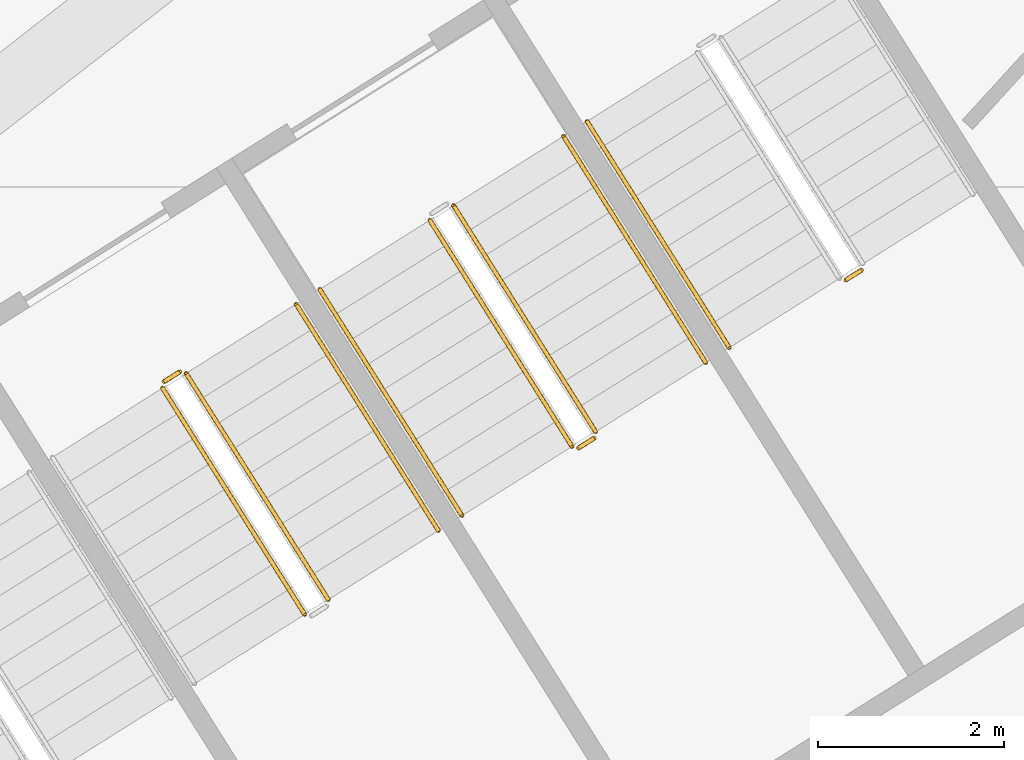
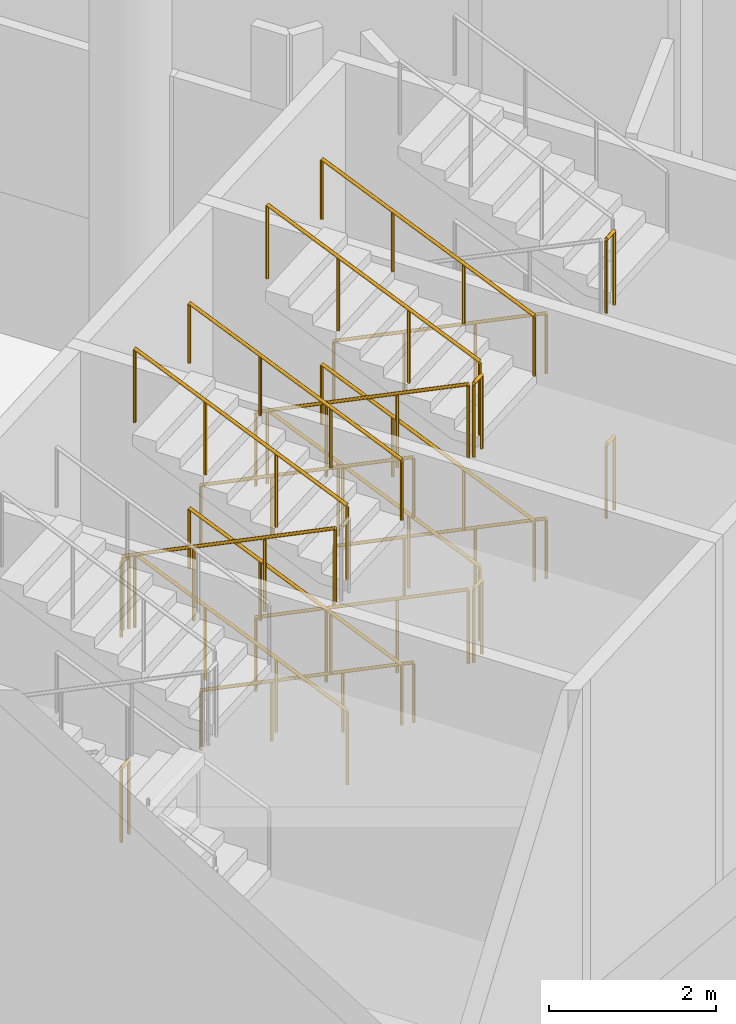
# One storey, part 218 of 249: 21 railings.
"""IFC4 building model written with IfcOpenShell, lengths in metres."""

import ifcopenshell
import ifcopenshell.guid

model = None  # the IFC model being written
_history = None  # IfcOwnerHistory: only IFC2X3 demands one
_inside = {}  # id of a spatial element -> (the spatial element, [elements in it])
_under = {}  # id of a project, library or spatial element -> (it, [spatial elements below it])
_declared = {}  # id of a project -> (the project, [libraries it declares])
_typed = {}  # id of a type object -> (the type object, [elements of that type])
_made_of = {}  # id of a material, layer set ... -> (it, [elements and type objects made of it])


def new_model(schema):
    """Start an empty IFC model of exactly this schema.

    Asked for "IFC4X3", IfcOpenShell would pick the latest addendum, in which some entities
    have other attributes; the version numbers below select the first issue.
    IFC2X3 requires an IfcOwnerHistory on every rooted entity: one is made here for all.
    """
    global model, _history
    if schema == "IFC4X3":
        model = ifcopenshell.file(schema_version=(4, 3, 0, 0))
    else:
        model = ifcopenshell.file(schema=schema)
    _inside.clear()
    _under.clear()
    _declared.clear()
    _typed.clear()
    _made_of.clear()
    _history = None
    if model.schema == "IFC2X3":
        org = make("IfcOrganization", Name="unknown")
        user = make(
            "IfcPersonAndOrganization",
            ThePerson=make("IfcPerson", FamilyName="unknown"),
            TheOrganization=org,
        )
        app = make(
            "IfcApplication",
            ApplicationDeveloper=org,
            Version="unknown",
            ApplicationFullName="unknown",
            ApplicationIdentifier="unknown",
        )
        _history = make(
            "IfcOwnerHistory",
            OwningUser=user,
            OwningApplication=app,
            ChangeAction="ADDED",
            CreationDate=0,
        )
    return model


def make(cls, **values):
    """One entity of the class cls with the attributes given. An attribute that is None is left unset."""
    return model.create_entity(
        cls, **{name: value for name, value in values.items() if value is not None}
    )


def rooted(cls, **values):
    """An entity with a GlobalId (a new one), such as an element, a storey or a relation."""
    return make(cls, GlobalId=ifcopenshell.guid.new(), OwnerHistory=_history, **values)


def si_unit(unit_type, name, prefix=None):
    """IfcSIUnit, for example si_unit("LENGTHUNIT", "METRE", prefix="MILLI")."""
    return make("IfcSIUnit", UnitType=unit_type, Prefix=prefix, Name=name)


def assignment(units):
    """IfcUnitAssignment: the units of a project."""
    return None if units is None else make("IfcUnitAssignment", Units=units)


def point(xyz):
    """IfcCartesianPoint."""
    return None if xyz is None else make("IfcCartesianPoint", Coordinates=xyz)


def direction(xyz):
    """IfcDirection."""
    return None if xyz is None else make("IfcDirection", DirectionRatios=xyz)


def frame(location, z_axis=None, x_axis=None):
    """IfcAxis2Placement3D, a coordinate frame: its origin and axes. An axis left out is left unset."""
    return make(
        "IfcAxis2Placement3D",
        Location=point(location),
        Axis=direction(z_axis),
        RefDirection=direction(x_axis),
    )


def frame_2d(location, x_axis=None):
    """IfcAxis2Placement2D, a coordinate frame in the plane: its origin and x axis."""
    return make(
        "IfcAxis2Placement2D", Location=point(location), RefDirection=direction(x_axis)
    )


def origin():
    """The frame at (0, 0, 0) with its axes left unset."""
    return frame((0.0, 0.0, 0.0))


def origin_2d():
    """The frame at (0, 0) in the plane with its x axis left unset."""
    return frame_2d((0.0, 0.0))


def place(relative_to, where):
    """IfcLocalPlacement: puts the frame where relative to a parent placement (None: the world)."""
    return make(
        "IfcLocalPlacement", PlacementRelTo=relative_to, RelativePlacement=where
    )


def context(
    kind, dimensions, precision=None, world=None, true_north=None, identifier=None
):
    """IfcGeometricRepresentationContext, for example the 3D "Model" context."""
    return make(
        "IfcGeometricRepresentationContext",
        ContextIdentifier=identifier,
        ContextType=kind,
        CoordinateSpaceDimension=dimensions,
        Precision=precision,
        WorldCoordinateSystem=world,
        TrueNorth=true_north,
    )


def subcontext(parent, identifier, kind, view, scale=None):
    """IfcGeometricRepresentationSubContext, for example "Body" below "Model"."""
    return make(
        "IfcGeometricRepresentationSubContext",
        ContextIdentifier=identifier,
        ContextType=kind,
        ParentContext=parent,
        TargetScale=scale,
        TargetView=view,
    )


def project(units=None, contexts=None):
    """IfcProject with its units and contexts."""
    return rooted(
        "IfcProject",
        Name="project",
        RepresentationContexts=contexts,
        UnitsInContext=assignment(units),
    )


def spatial(cls, under=None, at=None, **own):
    """A site, building, storey or space (cls), placed at a placement, below another one or the project."""
    s = rooted(cls, ObjectPlacement=at, **own)
    if under is not None:
        _under.setdefault(under.id(), (under, []))[1].append(s)
    return s


def profile(cls, at=None, kind="AREA", **sizes):
    """A parametric profile (cls). Its sizes go by their IFC names, for example OverallWidth=200.0."""
    return make(cls, ProfileType=kind, Position=at, **sizes)


def circle(**sizes):
    """IfcCircleProfileDef."""
    return profile("IfcCircleProfileDef", **sizes)


def extrude(swept, where, along, depth):
    """IfcExtrudedAreaSolid: the profile swept, set in the frame where, extruded along a direction by depth."""
    return make(
        "IfcExtrudedAreaSolid",
        SweptArea=swept,
        Position=where,
        ExtrudedDirection=direction(along),
        Depth=depth,
    )


def shape(context_of_items, identifier, shape_type, items):
    """IfcShapeRepresentation: the items that make up one representation, for example the "Body"."""
    return make(
        "IfcShapeRepresentation",
        ContextOfItems=context_of_items,
        RepresentationIdentifier=identifier,
        RepresentationType=shape_type,
        Items=items,
    )


def material(Name=None, Category=None):
    """IfcMaterial."""
    return make("IfcMaterial", Name=Name, Category=Category)


def made_of(thing, what):
    """Note that an element or type object is made of a material, layer set ...; save() writes the relation."""
    if what is not None:
        _made_of.setdefault(what.id(), (what, []))[1].append(thing)
    return thing


def type_object(cls, material=None, **own):
    """A type object (cls), such as IfcWallType, which elements share."""
    return made_of(rooted(cls, **own), material)


def element(
    cls,
    number,
    at=None,
    inside=None,
    cuts=None,
    type_object=None,
    material=None,
    context=None,
    identifier="Body",
    shape_type=None,
    held_by="IfcProductDefinitionShape",
    body=None,
    shapes=None,
    **own,
):
    """One element of the class cls, such as IfcWall. Its Tag is "e" and its number.

    at: its placement. inside: the storey or other place that contains it. cuts: it is an
    opening in that element (IfcRelVoidsElement). A single representation is given by context,
    identifier, shape_type and body (its items); several are given by shapes. held_by: the class
    of the entity that holds the representations. save() writes the other relations.
    """
    e = rooted(cls, Tag="e%d" % number, ObjectPlacement=at, **own)
    if body is not None:
        shapes = [shape(context, identifier, shape_type, body)]
    if shapes is not None:
        e.Representation = make(held_by, Representations=shapes)
    if inside is not None:
        _inside.setdefault(inside.id(), (inside, []))[1].append(e)
    if cuts is not None:
        rooted(
            "IfcRelVoidsElement", RelatingBuildingElement=cuts, RelatedOpeningElement=e
        )
    if type_object is not None:
        _typed.setdefault(type_object.id(), (type_object, []))[1].append(e)
    return made_of(e, material)


def aggregate(whole, parts):
    """IfcRelAggregates: a whole, such as a stair, and the parts it consists of."""
    return rooted("IfcRelAggregates", RelatingObject=whole, RelatedObjects=parts)


def save(model, path):
    """Write the relations noted so far, then the file.

    IfcRelAggregates (storeys below a building ...), IfcRelContainedInSpatialStructure (elements
    in a storey), IfcRelDefinesByType, IfcRelAssociatesMaterial and IfcRelDeclares: one each for
    every whole, place, type object, material and project.
    """
    for whole, parts in _under.values():
        aggregate(whole, parts)
    for where, things in _inside.values():
        rooted(
            "IfcRelContainedInSpatialStructure",
            RelatedElements=things,
            RelatingStructure=where,
        )
    for kind, things in _typed.values():
        rooted("IfcRelDefinesByType", RelatedObjects=things, RelatingType=kind)
    for what, things in _made_of.values():
        rooted("IfcRelAssociatesMaterial", RelatedObjects=things, RelatingMaterial=what)
    for by, libraries in _declared.values():
        rooted("IfcRelDeclares", RelatingContext=by, RelatedDefinitions=libraries)
    model.write(path)


model = new_model("IFC4")

# Units and contexts
model_context = context("Model", 3, precision=1e-05, world=origin(), true_north=direction((0.0, 1.0)))
body_context = subcontext(model_context, "Body", "Model", "MODEL_VIEW")
ifc_project = project(units=[si_unit("LENGTHUNIT", "METRE"), si_unit("AREAUNIT", "SQUARE_METRE"), si_unit("VOLUMEUNIT", "CUBIC_METRE"), si_unit("PLANEANGLEUNIT", "RADIAN"), si_unit("MASSUNIT", "GRAM", prefix="KILO")], contexts=[model_context])

# Site, building, storey
site_placement = place(None, origin())
site = spatial("IfcSite", under=ifc_project, at=site_placement, CompositionType="ELEMENT")
building_placement = place(site_placement, origin())
building = spatial("IfcBuilding", under=site, at=building_placement, Name="Meseta Stadium", CompositionType="ELEMENT")
storey_placement = place(building_placement, frame((0.0, 0.0, 12.0)))
storey = spatial("IfcBuildingStorey", under=building, at=storey_placement, Name="L02", CompositionType="ELEMENT", Elevation=12.0)

# Railings
ifc_material_1 = material(Name="Steel S355", Category="steel")
railing_type_1 = type_object("IfcRailingType", Name="Stair guard 1100", PredefinedType="GUARDRAIL", material=ifc_material_1)
railing_1_placement = place(storey_placement, frame((69.150390625, -89.757080078125, 1.64990234375)))
element("IfcRailing", 1, at=railing_1_placement, inside=storey, type_object=railing_type_1, Name="ST106 L02 guard 3", PredefinedType="GUARDRAIL", context=body_context, shape_type="SweptSolid", body=[
    extrude(circle(Radius=0.02392578125, at=origin_2d()), frame((0.0, 0.0, 1.076171875), z_axis=(-0.481702688975, 0.766687087345, 0.424444848635), x_axis=(-0.84674347122, -0.532001404082, 0.0)), (0.0, 0.0, 1.0), 3.180908203125),
    extrude(circle(Radius=0.02099609375, at=origin_2d()), origin(), (0.0, 0.0, 1.0), 1.052001953125),
    extrude(circle(Radius=0.02099609375, at=origin_2d()), frame((-0.5107421875, 0.81298828125, 0.449951171875)), (0.0, 0.0, 1.0), 1.052001953125),
    extrude(circle(Radius=0.02099609375, at=origin_2d()), frame((-1.021484375, 1.625732421875, 0.900146484375)), (0.0, 0.0, 1.0), 1.052001953125),
    extrude(circle(Radius=0.02099609375, at=origin_2d()), frame((-1.5322265625, 2.438720703125, 1.35009765625)), (0.0, 0.0, 1.0), 1.052001953125),
])
railing_2_placement = place(storey_placement, frame((67.3798828125, -87.4091796875, 3.0)))
element("IfcRailing", 2, at=railing_2_placement, inside=storey, type_object=railing_type_1, Name="ST106 L02 guard 4", PredefinedType="GUARDRAIL", context=body_context, shape_type="SweptSolid", body=[
    extrude(circle(Radius=0.02392578125, at=origin_2d()), frame((0.0, 0.0, 1.076171875), z_axis=(0.846762178531, 0.531971628011, 0.0), x_axis=(-0.531971628011, 0.846762178531, 0.0)), (0.0, 0.0, 1.0), 0.2001953125),
    extrude(circle(Radius=0.02099609375, at=origin_2d()), origin(), (0.0, 0.0, 1.0), 1.052001953125),
    extrude(circle(Radius=0.02099609375, at=origin_2d()), frame((0.16943359375, 0.1064453125, 0.0)), (0.0, 0.0, 1.0), 1.052001953125),
])
railing_3_placement = place(storey_placement, frame((67.3642578125, -87.47802734375, 3.14990234375)))
element("IfcRailing", 3, at=railing_3_placement, inside=storey, type_object=railing_type_1, Name="ST106 L02 guard 5", PredefinedType="GUARDRAIL", context=body_context, shape_type="SweptSolid", body=[
    extrude(circle(Radius=0.02392578125, at=origin_2d()), frame((0.0, 0.0, 1.076171875), z_axis=(0.481702688975, -0.766687087345, 0.424444848635), x_axis=(0.84674347122, 0.532001404082, 0.0)), (0.0, 0.0, 1.0), 3.180908203125),
    extrude(circle(Radius=0.02099609375, at=origin_2d()), origin(), (0.0, 0.0, 1.0), 1.052001953125),
    extrude(circle(Radius=0.02099609375, at=origin_2d()), frame((0.5107421875, -0.81298828125, 0.449951171875)), (0.0, 0.0, 1.0), 1.052001953125),
    extrude(circle(Radius=0.02099609375, at=origin_2d()), frame((1.021484375, -1.625732421875, 0.900146484375)), (0.0, 0.0, 1.0), 1.052001953125),
    extrude(circle(Radius=0.02099609375, at=origin_2d()), frame((1.5322265625, -2.438720703125, 1.35009765625)), (0.0, 0.0, 1.0), 1.052001953125),
])
railing_4_placement = place(storey_placement, frame((69.150390625, -89.757080078125, 4.64990234375)))
element("IfcRailing", 4, at=railing_4_placement, inside=storey, type_object=railing_type_1, Name="ST106 L02 guard 7", PredefinedType="GUARDRAIL", context=body_context, shape_type="SweptSolid", body=[
    extrude(circle(Radius=0.02392578125, at=origin_2d()), frame((0.0, 0.0, 1.076171875), z_axis=(-0.481702688975, 0.766687087345, 0.424444848635), x_axis=(-0.84674347122, -0.532001404082, 0.0)), (0.0, 0.0, 1.0), 3.180908203125),
    extrude(circle(Radius=0.02099609375, at=origin_2d()), origin(), (0.0, 0.0, 1.0), 1.052001953125),
    extrude(circle(Radius=0.02099609375, at=origin_2d()), frame((-0.5107421875, 0.81298828125, 0.449951171875)), (0.0, 0.0, 1.0), 1.052001953125),
    extrude(circle(Radius=0.02099609375, at=origin_2d()), frame((-1.021484375, 1.625732421875, 0.900146484375)), (0.0, 0.0, 1.0), 1.052001953125),
    extrude(circle(Radius=0.02099609375, at=origin_2d()), frame((-1.5322265625, 2.438720703125, 1.35009765625)), (0.0, 0.0, 1.0), 1.052001953125),
])
railing_5_placement = place(storey_placement, frame((67.3798828125, -87.4091796875, 0.0)))
element("IfcRailing", 5, at=railing_5_placement, inside=storey, type_object=railing_type_1, Name="ST106 L02 guard 8", PredefinedType="GUARDRAIL", context=body_context, shape_type="SweptSolid", body=[
    extrude(circle(Radius=0.02392578125, at=origin_2d()), frame((0.0, 0.0, 1.076171875), z_axis=(0.846762178531, 0.531971628011, 0.0), x_axis=(-0.531971628011, 0.846762178531, 0.0)), (0.0, 0.0, 1.0), 0.2001953125),
    extrude(circle(Radius=0.02099609375, at=origin_2d()), origin(), (0.0, 0.0, 1.0), 1.052001953125),
    extrude(circle(Radius=0.02099609375, at=origin_2d()), frame((0.16943359375, 0.1064453125, 0.0)), (0.0, 0.0, 1.0), 1.052001953125),
])
railing_6_placement = place(storey_placement, frame((70.242919921875, -85.669189453125, 0.14990234375)))
element("IfcRailing", 6, at=railing_6_placement, inside=storey, type_object=railing_type_1, Name="ST107 L02 guard 1", PredefinedType="GUARDRAIL", context=body_context, shape_type="SweptSolid", body=[
    extrude(circle(Radius=0.02392578125, at=origin_2d()), frame((0.0, 0.0, 1.076171875), z_axis=(0.481731036161, -0.766655447606, 0.424469826318), x_axis=(0.846719477248, 0.53203959143, 0.0)), (0.0, 0.0, 1.0), 3.1806640625),
    extrude(circle(Radius=0.02099609375, at=origin_2d()), origin(), (0.0, 0.0, 1.0), 1.052001953125),
    extrude(circle(Radius=0.02099609375, at=origin_2d()), frame((0.5107421875, -0.812744140625, 0.449951171875)), (0.0, 0.0, 1.0), 1.052001953125),
    extrude(circle(Radius=0.02099609375, at=origin_2d()), frame((1.021484375, -1.625732421875, 0.900146484375)), (0.0, 0.0, 1.0), 1.052001953125),
    extrude(circle(Radius=0.02099609375, at=origin_2d()), frame((1.5322265625, -2.4384765625, 1.35009765625)), (0.0, 0.0, 1.0), 1.052001953125),
])
railing_7_placement = place(storey_placement, frame((71.84423828125, -88.12353515625, 1.5)))
element("IfcRailing", 7, at=railing_7_placement, inside=storey, type_object=railing_type_1, Name="ST107 L02 guard 2", PredefinedType="GUARDRAIL", context=body_context, shape_type="SweptSolid", body=[
    extrude(circle(Radius=0.02392578125, at=origin_2d()), frame((0.0, 0.0, 1.076171875), z_axis=(0.846416356806, 0.532521690573, 0.0), x_axis=(-0.532521690573, 0.846416356806, 0.0)), (0.0, 0.0, 1.0), 0.199951171875),
    extrude(circle(Radius=0.02099609375, at=origin_2d()), origin(), (0.0, 0.0, 1.0), 1.052001953125),
    extrude(circle(Radius=0.02099609375, at=origin_2d()), frame((0.169189453125, 0.1064453125, 0.0)), (0.0, 0.0, 1.0), 1.052001953125),
])
railing_8_placement = place(storey_placement, frame((72.029296875, -87.947998046875, 1.64990234375)))
element("IfcRailing", 8, at=railing_8_placement, inside=storey, type_object=railing_type_1, Name="ST107 L02 guard 3", PredefinedType="GUARDRAIL", context=body_context, shape_type="SweptSolid", body=[
    extrude(circle(Radius=0.02392578125, at=origin_2d()), frame((0.0, 0.0, 1.076171875), z_axis=(-0.481731036161, 0.766655447606, 0.424469826318), x_axis=(-0.846719477248, -0.53203959143, 0.0)), (0.0, 0.0, 1.0), 3.1806640625),
    extrude(circle(Radius=0.02099609375, at=origin_2d()), origin(), (0.0, 0.0, 1.0), 1.052001953125),
    extrude(circle(Radius=0.02099609375, at=origin_2d()), frame((-0.5107421875, 0.812744140625, 0.449951171875)), (0.0, 0.0, 1.0), 1.052001953125),
    extrude(circle(Radius=0.02099609375, at=origin_2d()), frame((-1.021484375, 1.625732421875, 0.900146484375)), (0.0, 0.0, 1.0), 1.052001953125),
    extrude(circle(Radius=0.02099609375, at=origin_2d()), frame((-1.5322265625, 2.4384765625, 1.35009765625)), (0.0, 0.0, 1.0), 1.052001953125),
])
railing_9_placement = place(storey_placement, frame((70.242919921875, -85.669189453125, 3.14990234375)))
element("IfcRailing", 9, at=railing_9_placement, inside=storey, type_object=railing_type_1, Name="ST107 L02 guard 5", PredefinedType="GUARDRAIL", context=body_context, shape_type="SweptSolid", body=[
    extrude(circle(Radius=0.02392578125, at=origin_2d()), frame((0.0, 0.0, 1.076171875), z_axis=(0.481731036161, -0.766655447606, 0.424469826318), x_axis=(0.846719477248, 0.53203959143, 0.0)), (0.0, 0.0, 1.0), 3.1806640625),
    extrude(circle(Radius=0.02099609375, at=origin_2d()), origin(), (0.0, 0.0, 1.0), 1.052001953125),
    extrude(circle(Radius=0.02099609375, at=origin_2d()), frame((0.5107421875, -0.812744140625, 0.449951171875)), (0.0, 0.0, 1.0), 1.052001953125),
    extrude(circle(Radius=0.02099609375, at=origin_2d()), frame((1.021484375, -1.625732421875, 0.900146484375)), (0.0, 0.0, 1.0), 1.052001953125),
    extrude(circle(Radius=0.02099609375, at=origin_2d()), frame((1.5322265625, -2.4384765625, 1.35009765625)), (0.0, 0.0, 1.0), 1.052001953125),
])
railing_10_placement = place(storey_placement, frame((71.84423828125, -88.12353515625, 4.5)))
element("IfcRailing", 10, at=railing_10_placement, inside=storey, type_object=railing_type_1, Name="ST107 L02 guard 6", PredefinedType="GUARDRAIL", context=body_context, shape_type="SweptSolid", body=[
    extrude(circle(Radius=0.02392578125, at=origin_2d()), frame((0.0, 0.0, 1.076171875), z_axis=(0.846416356806, 0.532521690573, 0.0), x_axis=(-0.532521690573, 0.846416356806, 0.0)), (0.0, 0.0, 1.0), 0.199951171875),
    extrude(circle(Radius=0.02099609375, at=origin_2d()), origin(), (0.0, 0.0, 1.0), 1.052001953125),
    extrude(circle(Radius=0.02099609375, at=origin_2d()), frame((0.169189453125, 0.1064453125, 0.0)), (0.0, 0.0, 1.0), 1.052001953125),
])
railing_11_placement = place(storey_placement, frame((72.029296875, -87.947998046875, 4.64990234375)))
element("IfcRailing", 11, at=railing_11_placement, inside=storey, type_object=railing_type_1, Name="ST107 L02 guard 7", PredefinedType="GUARDRAIL", context=body_context, shape_type="SweptSolid", body=[
    extrude(circle(Radius=0.02392578125, at=origin_2d()), frame((0.0, 0.0, 1.076171875), z_axis=(-0.481731036161, 0.766655447606, 0.424469826318), x_axis=(-0.846719477248, -0.53203959143, 0.0)), (0.0, 0.0, 1.0), 3.1806640625),
    extrude(circle(Radius=0.02099609375, at=origin_2d()), origin(), (0.0, 0.0, 1.0), 1.052001953125),
    extrude(circle(Radius=0.02099609375, at=origin_2d()), frame((-0.5107421875, 0.812744140625, 0.449951171875)), (0.0, 0.0, 1.0), 1.052001953125),
    extrude(circle(Radius=0.02099609375, at=origin_2d()), frame((-1.021484375, 1.625732421875, 0.900146484375)), (0.0, 0.0, 1.0), 1.052001953125),
    extrude(circle(Radius=0.02099609375, at=origin_2d()), frame((-1.5322265625, 2.4384765625, 1.35009765625)), (0.0, 0.0, 1.0), 1.052001953125),
])
for number, where, name in (
    (12, (74.72314453125, -86.314453125, 1.5), "ST108 L02 guard 2"),
    (13, (74.72314453125, -86.314453125, 4.5), "ST108 L02 guard 6"),
):
    element("IfcRailing", number, at=place(storey_placement, frame(where)), inside=storey, type_object=railing_type_1, Name=name, PredefinedType="GUARDRAIL", context=body_context, shape_type="SweptSolid", body=[
        extrude(circle(Radius=0.02392578125, at=origin_2d()), frame((0.0, 0.0, 1.076171875), z_axis=(0.846966780732, 0.531645814745, 0.0), x_axis=(-0.531645814745, 0.846966780732, 0.0)), (0.0, 0.0, 1.0), 0.19970703125),
        extrude(circle(Radius=0.02099609375, at=origin_2d()), origin(), (0.0, 0.0, 1.0), 1.052001953125),
        extrude(circle(Radius=0.02099609375, at=origin_2d()), frame((0.169189453125, 0.106201171875, 0.0)), (0.0, 0.0, 1.0), 1.052001953125),
    ])
ifc_material_2 = material(Name="Steel S355", Category="steel")
railing_type_2 = type_object("IfcRailingType", Name="Stair handrail 900", PredefinedType="HANDRAIL", material=ifc_material_2)
for number, where, name in (
    (14, (70.3359375, -89.01220703125, 1.64990234375), "ST106 L02 handrail 2"),
    (15, (70.3359375, -89.01220703125, 4.64990234375), "ST106 L02 handrail 4"),
):
    element("IfcRailing", number, at=place(storey_placement, frame(where)), inside=storey, type_object=railing_type_2, Name=name, PredefinedType="HANDRAIL", context=body_context, shape_type="SweptSolid", body=[
        extrude(circle(Radius=0.02392578125, at=origin_2d()), frame((0.0, 0.0, 0.8759765625), z_axis=(-0.481789977797, 0.766627098651, 0.424454130511), x_axis=(-0.846681287241, -0.532100364439, 0.0)), (0.0, 0.0, 1.0), 3.1806640625),
        extrude(circle(Radius=0.02099609375, at=origin_2d()), origin(), (0.0, 0.0, 1.0), 0.851806640625),
        extrude(circle(Radius=0.02099609375, at=origin_2d()), frame((-0.5107421875, 0.812744140625, 0.449951171875)), (0.0, 0.0, 1.0), 0.851806640625),
        extrude(circle(Radius=0.02099609375, at=origin_2d()), frame((-1.021728515625, 1.625732421875, 0.900146484375)), (0.0, 0.0, 1.0), 0.851806640625),
        extrude(circle(Radius=0.02099609375, at=origin_2d()), frame((-1.532470703125, 2.4384765625, 1.35009765625)), (0.0, 0.0, 1.0), 0.851806640625),
    ])
railing_12_placement = place(storey_placement, frame((69.0576171875, -86.4140625, 0.14990234375)))
element("IfcRailing", 16, at=railing_12_placement, inside=storey, type_object=railing_type_2, Name="ST107 L02 handrail 1", PredefinedType="HANDRAIL", context=body_context, shape_type="SweptSolid", body=[
    extrude(circle(Radius=0.02392578125, at=origin_2d()), frame((0.0, 0.0, 0.8759765625), z_axis=(0.481731036161, -0.766655447606, 0.424469826318), x_axis=(0.846719477248, 0.53203959143, 0.0)), (0.0, 0.0, 1.0), 3.1806640625),
    extrude(circle(Radius=0.02099609375, at=origin_2d()), origin(), (0.0, 0.0, 1.0), 0.851806640625),
    extrude(circle(Radius=0.02099609375, at=origin_2d()), frame((0.5107421875, -0.812744140625, 0.449951171875)), (0.0, 0.0, 1.0), 0.851806640625),
    extrude(circle(Radius=0.02099609375, at=origin_2d()), frame((1.021484375, -1.625732421875, 0.900146484375)), (0.0, 0.0, 1.0), 0.851806640625),
    extrude(circle(Radius=0.02099609375, at=origin_2d()), frame((1.5322265625, -2.4384765625, 1.35009765625)), (0.0, 0.0, 1.0), 0.851806640625),
])
railing_13_placement = place(storey_placement, frame((73.214599609375, -87.203369140625, 1.64990234375)))
element("IfcRailing", 17, at=railing_13_placement, inside=storey, type_object=railing_type_2, Name="ST107 L02 handrail 2", PredefinedType="HANDRAIL", context=body_context, shape_type="SweptSolid", body=[
    extrude(circle(Radius=0.02392578125, at=origin_2d()), frame((0.0, 0.0, 0.8759765625), z_axis=(-0.481702688975, 0.766687087345, 0.424444848635), x_axis=(-0.84674347122, -0.532001404082, 0.0)), (0.0, 0.0, 1.0), 3.180908203125),
    extrude(circle(Radius=0.02099609375, at=origin_2d()), origin(), (0.0, 0.0, 1.0), 0.851806640625),
    extrude(circle(Radius=0.02099609375, at=origin_2d()), frame((-0.5107421875, 0.81298828125, 0.449951171875)), (0.0, 0.0, 1.0), 0.851806640625),
    extrude(circle(Radius=0.02099609375, at=origin_2d()), frame((-1.021484375, 1.625732421875, 0.900146484375)), (0.0, 0.0, 1.0), 0.851806640625),
    extrude(circle(Radius=0.02099609375, at=origin_2d()), frame((-1.5322265625, 2.438720703125, 1.35009765625)), (0.0, 0.0, 1.0), 0.851806640625),
])
railing_14_placement = place(storey_placement, frame((69.0576171875, -86.4140625, 3.14990234375)))
element("IfcRailing", 18, at=railing_14_placement, inside=storey, type_object=railing_type_2, Name="ST107 L02 handrail 3", PredefinedType="HANDRAIL", context=body_context, shape_type="SweptSolid", body=[
    extrude(circle(Radius=0.02392578125, at=origin_2d()), frame((0.0, 0.0, 0.8759765625), z_axis=(0.481731036161, -0.766655447606, 0.424469826318), x_axis=(0.846719477248, 0.53203959143, 0.0)), (0.0, 0.0, 1.0), 3.1806640625),
    extrude(circle(Radius=0.02099609375, at=origin_2d()), origin(), (0.0, 0.0, 1.0), 0.851806640625),
    extrude(circle(Radius=0.02099609375, at=origin_2d()), frame((0.5107421875, -0.812744140625, 0.449951171875)), (0.0, 0.0, 1.0), 0.851806640625),
    extrude(circle(Radius=0.02099609375, at=origin_2d()), frame((1.021484375, -1.625732421875, 0.900146484375)), (0.0, 0.0, 1.0), 0.851806640625),
    extrude(circle(Radius=0.02099609375, at=origin_2d()), frame((1.5322265625, -2.4384765625, 1.35009765625)), (0.0, 0.0, 1.0), 0.851806640625),
])
railing_15_placement = place(storey_placement, frame((73.214599609375, -87.203369140625, 4.64990234375)))
element("IfcRailing", 19, at=railing_15_placement, inside=storey, type_object=railing_type_2, Name="ST107 L02 handrail 4", PredefinedType="HANDRAIL", context=body_context, shape_type="SweptSolid", body=[
    extrude(circle(Radius=0.02392578125, at=origin_2d()), frame((0.0, 0.0, 0.8759765625), z_axis=(-0.481702688975, 0.766687087345, 0.424444848635), x_axis=(-0.84674347122, -0.532001404082, 0.0)), (0.0, 0.0, 1.0), 3.180908203125),
    extrude(circle(Radius=0.02099609375, at=origin_2d()), origin(), (0.0, 0.0, 1.0), 0.851806640625),
    extrude(circle(Radius=0.02099609375, at=origin_2d()), frame((-0.5107421875, 0.81298828125, 0.449951171875)), (0.0, 0.0, 1.0), 0.851806640625),
    extrude(circle(Radius=0.02099609375, at=origin_2d()), frame((-1.021484375, 1.625732421875, 0.900146484375)), (0.0, 0.0, 1.0), 0.851806640625),
    extrude(circle(Radius=0.02099609375, at=origin_2d()), frame((-1.5322265625, 2.438720703125, 1.35009765625)), (0.0, 0.0, 1.0), 0.851806640625),
])
for number, where, name in (
    (20, (71.9365234375, -84.60498046875, 0.14990234375), "ST108 L02 handrail 1"),
    (21, (71.9365234375, -84.60498046875, 3.14990234375), "ST108 L02 handrail 3"),
):
    element("IfcRailing", number, at=place(storey_placement, frame(where)), inside=storey, type_object=railing_type_2, Name=name, PredefinedType="HANDRAIL", context=body_context, shape_type="SweptSolid", body=[
        extrude(circle(Radius=0.02392578125, at=origin_2d()), frame((0.0, 0.0, 0.8759765625), z_axis=(0.481702688975, -0.766687087345, 0.424444848635), x_axis=(0.84674347122, 0.532001404082, 0.0)), (0.0, 0.0, 1.0), 3.180908203125),
        extrude(circle(Radius=0.02099609375, at=origin_2d()), origin(), (0.0, 0.0, 1.0), 0.851806640625),
        extrude(circle(Radius=0.02099609375, at=origin_2d()), frame((0.5107421875, -0.81298828125, 0.449951171875)), (0.0, 0.0, 1.0), 0.851806640625),
        extrude(circle(Radius=0.02099609375, at=origin_2d()), frame((1.021484375, -1.625732421875, 0.900146484375)), (0.0, 0.0, 1.0), 0.851806640625),
        extrude(circle(Radius=0.02099609375, at=origin_2d()), frame((1.5322265625, -2.438720703125, 1.35009765625)), (0.0, 0.0, 1.0), 0.851806640625),
    ])

save(model, "model.ifc")
